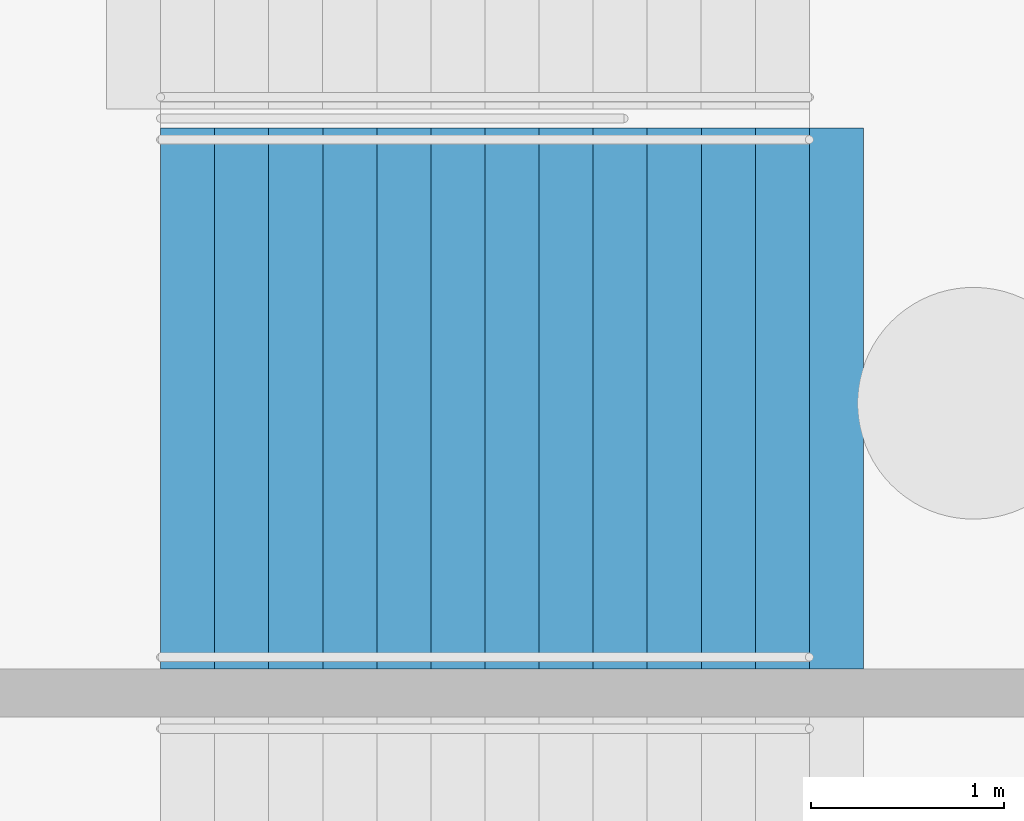
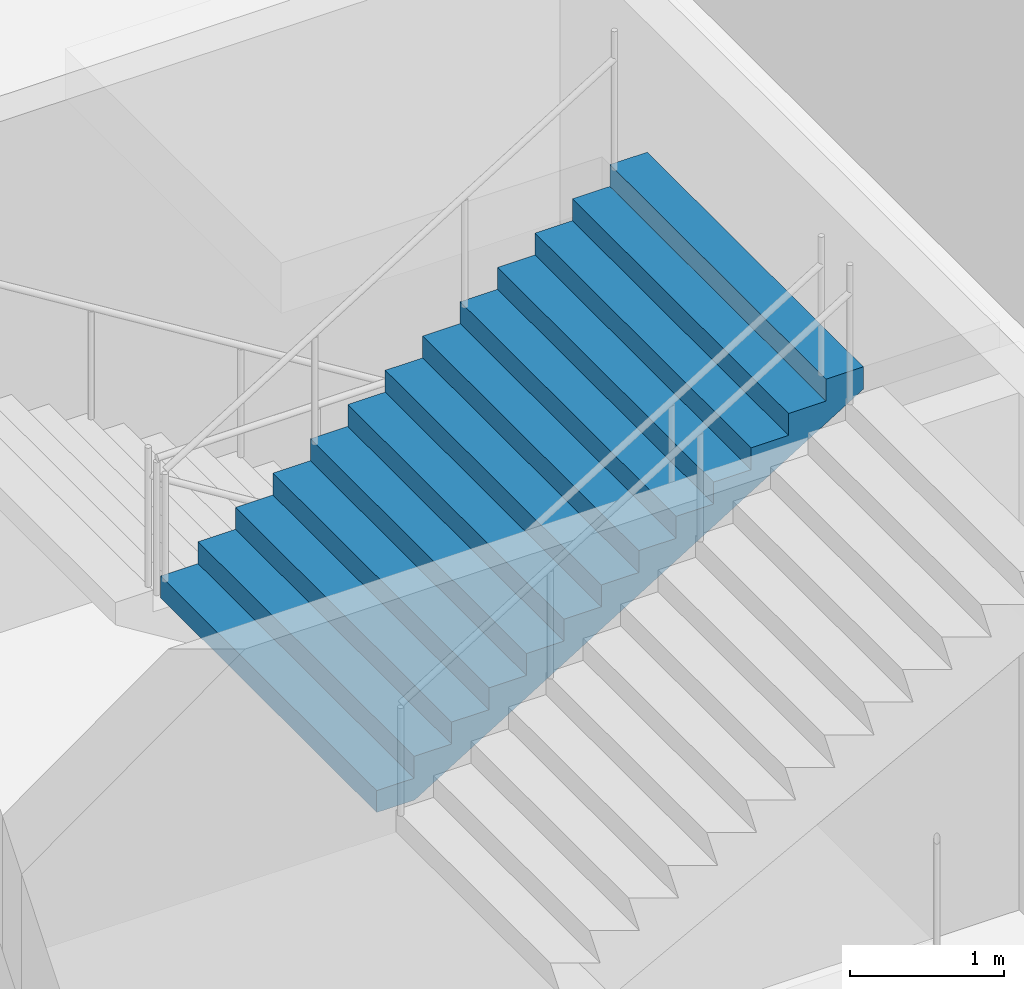
# One storey, part 74 of 115: 1 stair flight, 1 element without a shape of its own.
"""IFC4 building model written with IfcOpenShell, lengths in metres."""

import ifcopenshell
import ifcopenshell.guid

model = None  # the IFC model being written
_history = None  # IfcOwnerHistory: only IFC2X3 demands one
_inside = {}  # id of a spatial element -> (the spatial element, [elements in it])
_under = {}  # id of a project, library or spatial element -> (it, [spatial elements below it])
_declared = {}  # id of a project -> (the project, [libraries it declares])
_typed = {}  # id of a type object -> (the type object, [elements of that type])
_made_of = {}  # id of a material, layer set ... -> (it, [elements and type objects made of it])


def new_model(schema):
    """Start an empty IFC model of exactly this schema.

    Asked for "IFC4X3", IfcOpenShell would pick the latest addendum, in which some entities
    have other attributes; the version numbers below select the first issue.
    IFC2X3 requires an IfcOwnerHistory on every rooted entity: one is made here for all.
    """
    global model, _history
    if schema == "IFC4X3":
        model = ifcopenshell.file(schema_version=(4, 3, 0, 0))
    else:
        model = ifcopenshell.file(schema=schema)
    _inside.clear()
    _under.clear()
    _declared.clear()
    _typed.clear()
    _made_of.clear()
    _history = None
    if model.schema == "IFC2X3":
        org = make("IfcOrganization", Name="unknown")
        user = make(
            "IfcPersonAndOrganization",
            ThePerson=make("IfcPerson", FamilyName="unknown"),
            TheOrganization=org,
        )
        app = make(
            "IfcApplication",
            ApplicationDeveloper=org,
            Version="unknown",
            ApplicationFullName="unknown",
            ApplicationIdentifier="unknown",
        )
        _history = make(
            "IfcOwnerHistory",
            OwningUser=user,
            OwningApplication=app,
            ChangeAction="ADDED",
            CreationDate=0,
        )
    return model


def make(cls, **values):
    """One entity of the class cls with the attributes given. An attribute that is None is left unset."""
    return model.create_entity(
        cls, **{name: value for name, value in values.items() if value is not None}
    )


def rooted(cls, **values):
    """An entity with a GlobalId (a new one), such as an element, a storey or a relation."""
    return make(cls, GlobalId=ifcopenshell.guid.new(), OwnerHistory=_history, **values)


def si_unit(unit_type, name, prefix=None):
    """IfcSIUnit, for example si_unit("LENGTHUNIT", "METRE", prefix="MILLI")."""
    return make("IfcSIUnit", UnitType=unit_type, Prefix=prefix, Name=name)


def assignment(units):
    """IfcUnitAssignment: the units of a project."""
    return None if units is None else make("IfcUnitAssignment", Units=units)


def point(xyz):
    """IfcCartesianPoint."""
    return None if xyz is None else make("IfcCartesianPoint", Coordinates=xyz)


def direction(xyz):
    """IfcDirection."""
    return None if xyz is None else make("IfcDirection", DirectionRatios=xyz)


def frame(location, z_axis=None, x_axis=None):
    """IfcAxis2Placement3D, a coordinate frame: its origin and axes. An axis left out is left unset."""
    return make(
        "IfcAxis2Placement3D",
        Location=point(location),
        Axis=direction(z_axis),
        RefDirection=direction(x_axis),
    )


def origin():
    """The frame at (0, 0, 0) with its axes left unset."""
    return frame((0.0, 0.0, 0.0))


def place(relative_to, where):
    """IfcLocalPlacement: puts the frame where relative to a parent placement (None: the world)."""
    return make(
        "IfcLocalPlacement", PlacementRelTo=relative_to, RelativePlacement=where
    )


def context(
    kind, dimensions, precision=None, world=None, true_north=None, identifier=None
):
    """IfcGeometricRepresentationContext, for example the 3D "Model" context."""
    return make(
        "IfcGeometricRepresentationContext",
        ContextIdentifier=identifier,
        ContextType=kind,
        CoordinateSpaceDimension=dimensions,
        Precision=precision,
        WorldCoordinateSystem=world,
        TrueNorth=true_north,
    )


def subcontext(parent, identifier, kind, view, scale=None):
    """IfcGeometricRepresentationSubContext, for example "Body" below "Model"."""
    return make(
        "IfcGeometricRepresentationSubContext",
        ContextIdentifier=identifier,
        ContextType=kind,
        ParentContext=parent,
        TargetScale=scale,
        TargetView=view,
    )


def project(units=None, contexts=None):
    """IfcProject with its units and contexts."""
    return rooted(
        "IfcProject",
        Name="project",
        RepresentationContexts=contexts,
        UnitsInContext=assignment(units),
    )


def spatial(cls, under=None, at=None, **own):
    """A site, building, storey or space (cls), placed at a placement, below another one or the project."""
    s = rooted(cls, ObjectPlacement=at, **own)
    if under is not None:
        _under.setdefault(under.id(), (under, []))[1].append(s)
    return s


def faces_of(points, faces, orient=None, outer=None):
    """IfcFace entities. A face is a list of loops; a loop is a list of indices into points, from 0.

    orient and outer hold one flag for each loop. By default every Orientation is true, the
    first loop of a face is its IfcFaceOuterBound and the others are IfcFaceBound.
    """
    made = []
    for i, loops in enumerate(faces):
        bounds = []
        for j, loop in enumerate(loops):
            is_outer = j == 0 if outer is None else outer[i][j]
            bounds.append(
                make(
                    "IfcFaceOuterBound" if is_outer else "IfcFaceBound",
                    Bound=make("IfcPolyLoop", Polygon=[points[k] for k in loop]),
                    Orientation=True if orient is None else orient[i][j],
                )
            )
        made.append(make("IfcFace", Bounds=bounds))
    return made


def faceted_brep(points, faces, orient=None, outer=None, voids=None):
    """IfcFacetedBrep: a solid bounded by flat faces; with voids (closed shells), ...WithVoids."""
    shared = [point(p) for p in points]
    hull = make("IfcClosedShell", CfsFaces=faces_of(shared, faces, orient, outer))
    if voids is None:
        return make("IfcFacetedBrep", Outer=hull)
    return make(
        "IfcFacetedBrepWithVoids",
        Outer=hull,
        Voids=[
            make(cls, CfsFaces=faces_of(shared, fs, o, b)) for cls, fs, o, b in voids
        ],
    )


def shape(context_of_items, identifier, shape_type, items):
    """IfcShapeRepresentation: the items that make up one representation, for example the "Body"."""
    return make(
        "IfcShapeRepresentation",
        ContextOfItems=context_of_items,
        RepresentationIdentifier=identifier,
        RepresentationType=shape_type,
        Items=items,
    )


def material(Name=None, Category=None):
    """IfcMaterial."""
    return make("IfcMaterial", Name=Name, Category=Category)


def made_of(thing, what):
    """Note that an element or type object is made of a material, layer set ...; save() writes the relation."""
    if what is not None:
        _made_of.setdefault(what.id(), (what, []))[1].append(thing)
    return thing


def type_object(cls, material=None, **own):
    """A type object (cls), such as IfcWallType, which elements share."""
    return made_of(rooted(cls, **own), material)


def element(
    cls,
    number,
    at=None,
    inside=None,
    cuts=None,
    type_object=None,
    material=None,
    context=None,
    identifier="Body",
    shape_type=None,
    held_by="IfcProductDefinitionShape",
    body=None,
    shapes=None,
    **own,
):
    """One element of the class cls, such as IfcWall. Its Tag is "e" and its number.

    at: its placement. inside: the storey or other place that contains it. cuts: it is an
    opening in that element (IfcRelVoidsElement). A single representation is given by context,
    identifier, shape_type and body (its items); several are given by shapes. held_by: the class
    of the entity that holds the representations. save() writes the other relations.
    """
    e = rooted(cls, Tag="e%d" % number, ObjectPlacement=at, **own)
    if body is not None:
        shapes = [shape(context, identifier, shape_type, body)]
    if shapes is not None:
        e.Representation = make(held_by, Representations=shapes)
    if inside is not None:
        _inside.setdefault(inside.id(), (inside, []))[1].append(e)
    if cuts is not None:
        rooted(
            "IfcRelVoidsElement", RelatingBuildingElement=cuts, RelatedOpeningElement=e
        )
    if type_object is not None:
        _typed.setdefault(type_object.id(), (type_object, []))[1].append(e)
    return made_of(e, material)


def aggregate(whole, parts):
    """IfcRelAggregates: a whole, such as a stair, and the parts it consists of."""
    return rooted("IfcRelAggregates", RelatingObject=whole, RelatedObjects=parts)


def save(model, path):
    """Write the relations noted so far, then the file.

    IfcRelAggregates (storeys below a building ...), IfcRelContainedInSpatialStructure (elements
    in a storey), IfcRelDefinesByType, IfcRelAssociatesMaterial and IfcRelDeclares: one each for
    every whole, place, type object, material and project.
    """
    for whole, parts in _under.values():
        aggregate(whole, parts)
    for where, things in _inside.values():
        rooted(
            "IfcRelContainedInSpatialStructure",
            RelatedElements=things,
            RelatingStructure=where,
        )
    for kind, things in _typed.values():
        rooted("IfcRelDefinesByType", RelatedObjects=things, RelatingType=kind)
    for what, things in _made_of.values():
        rooted("IfcRelAssociatesMaterial", RelatedObjects=things, RelatingMaterial=what)
    for by, libraries in _declared.values():
        rooted("IfcRelDeclares", RelatingContext=by, RelatedDefinitions=libraries)
    model.write(path)


model = new_model("IFC4")

# Units and contexts
model_context = context("Model", 3, precision=1e-05, world=origin(), true_north=direction((0.0, 1.0)))
body_context = subcontext(model_context, "Body", "Model", "MODEL_VIEW")
ifc_project = project(units=[si_unit("LENGTHUNIT", "METRE"), si_unit("AREAUNIT", "SQUARE_METRE"), si_unit("VOLUMEUNIT", "CUBIC_METRE"), si_unit("PLANEANGLEUNIT", "RADIAN"), si_unit("MASSUNIT", "GRAM", prefix="KILO")], contexts=[model_context])

# Site, building, storey
site_placement = place(None, origin())
site = spatial("IfcSite", under=ifc_project, at=site_placement, CompositionType="ELEMENT")
building_placement = place(site_placement, origin())
building = spatial("IfcBuilding", under=site, at=building_placement, Name="Ogive Plaza Stadium", CompositionType="ELEMENT")
storey_placement = place(building_placement, frame((0.0, 0.0, -4.5)))
storey = spatial("IfcBuildingStorey", under=building, at=storey_placement, Name="B1", CompositionType="ELEMENT", Elevation=-4.5)

# Stair, stair flight
ifc_material_1 = material(Name="Concrete C40/50", Category="concrete")
stair_type = type_object("IfcStairType", Name="Exit stair", PredefinedType="STRAIGHT_RUN_STAIR", material=ifc_material_1)
stair_placement = place(storey_placement, origin())
stair = element("IfcStair", 1, at=stair_placement, inside=storey, type_object=stair_type, Name="Exit stair ST22A B1 to L00", PredefinedType="STRAIGHT_RUN_STAIR")
ifc_material_2 = material(Name="Concrete C40/50", Category="concrete")
stair_flight_type = type_object("IfcStairFlightType", Name="Exit stair flight", PredefinedType="STRAIGHT", material=ifc_material_2)
stair_flight_placement = place(storey_placement, frame((-79.7099609375, -35.97509765625, 2.25), z_axis=(0.0, 0.0, 1.0), x_axis=(1.0, 0.0, 0.0)))
stair_flight = element("IfcStairFlight", 2, at=stair_flight_placement, type_object=stair_flight_type, Name="ST22A flight 2", NumberOfRisers=13, NumberOfTreads=12, PredefinedType="STRAIGHT", RiserHeight=0.173076923, TreadLength=0.28, context=body_context, shape_type="Brep", body=[
    faceted_brep([(0.28515625, -1.39990234375, 0.0), (3.639892578125, -1.39990234375, 2.07373046875), (3.639892578125, -1.39990234375, 2.25), (3.360107421875, -1.39990234375, 2.25), (3.360107421875, -1.39990234375, 2.076904296875), (3.080078125, -1.39990234375, 2.076904296875), (3.080078125, -1.39990234375, 1.90380859375), (2.800048828125, -1.39990234375, 1.90380859375), (2.800048828125, -1.39990234375, 1.730712890625), (2.52001953125, -1.39990234375, 1.730712890625), (2.52001953125, -1.39990234375, 1.5576171875), (2.239990234375, -1.39990234375, 1.5576171875), (2.239990234375, -1.39990234375, 1.384521484375), (1.9599609375, -1.39990234375, 1.384521484375), (1.9599609375, -1.39990234375, 1.21142578125), (1.679931640625, -1.39990234375, 1.21142578125), (1.679931640625, -1.39990234375, 1.03857421875), (1.39990234375, -1.39990234375, 1.03857421875), (1.39990234375, -1.39990234375, 0.865478515625), (1.1201171875, -1.39990234375, 0.865478515625), (1.1201171875, -1.39990234375, 0.6923828125), (0.840087890625, -1.39990234375, 0.6923828125), (0.840087890625, -1.39990234375, 0.519287109375), (0.56005859375, -1.39990234375, 0.519287109375), (0.56005859375, -1.39990234375, 0.34619140625), (0.280029296875, -1.39990234375, 0.34619140625), (0.280029296875, -1.39990234375, 0.173095703125), (0.0, -1.39990234375, 0.173095703125), (0.0, -1.39990234375, 0.0), (0.0, 1.39990234375, 0.0), (0.0, 1.39990234375, 0.173095703125), (0.280029296875, 1.39990234375, 0.173095703125), (0.280029296875, 1.39990234375, 0.34619140625), (0.56005859375, 1.39990234375, 0.34619140625), (0.56005859375, 1.39990234375, 0.519287109375), (0.840087890625, 1.39990234375, 0.519287109375), (0.840087890625, 1.39990234375, 0.6923828125), (1.1201171875, 1.39990234375, 0.6923828125), (1.1201171875, 1.39990234375, 0.865478515625), (1.39990234375, 1.39990234375, 0.865478515625), (1.39990234375, 1.39990234375, 1.03857421875), (1.679931640625, 1.39990234375, 1.03857421875), (1.679931640625, 1.39990234375, 1.21142578125), (1.9599609375, 1.39990234375, 1.21142578125), (1.9599609375, 1.39990234375, 1.384521484375), (2.239990234375, 1.39990234375, 1.384521484375), (2.239990234375, 1.39990234375, 1.5576171875), (2.52001953125, 1.39990234375, 1.5576171875), (2.52001953125, 1.39990234375, 1.730712890625), (2.800048828125, 1.39990234375, 1.730712890625), (2.800048828125, 1.39990234375, 1.90380859375), (3.080078125, 1.39990234375, 1.90380859375), (3.080078125, 1.39990234375, 2.076904296875), (3.360107421875, 1.39990234375, 2.076904296875), (3.360107421875, 1.39990234375, 2.25), (3.639892578125, 1.39990234375, 2.25), (3.639892578125, 1.39990234375, 2.07373046875), (0.28515625, 1.39990234375, 0.0), (0.28515625, -1.0888671875, 0.0), (3.639892578125, -1.0888671875, 2.07373046875), (0.28515625, -0.77783203125, 0.0), (3.639892578125, -0.77783203125, 2.07373046875), (0.28515625, -0.466796875, 0.0), (3.639892578125, -0.466796875, 2.07373046875), (0.28515625, -0.155517578125, 0.0), (3.639892578125, -0.155517578125, 2.07373046875), (0.28515625, 0.155517578125, 0.0), (3.639892578125, 0.155517578125, 2.07373046875), (0.28515625, 0.466796875, 0.0), (3.639892578125, 0.466796875, 2.07373046875), (0.28515625, 0.77783203125, 0.0), (3.639892578125, 0.77783203125, 2.07373046875), (0.28515625, 1.0888671875, 0.0), (3.639892578125, 1.0888671875, 2.07373046875), (3.639892578125, -1.0888671875, 2.25), (3.639892578125, -0.77783203125, 2.25), (3.639892578125, -0.466796875, 2.25), (3.639892578125, -0.155517578125, 2.25), (3.639892578125, 0.155517578125, 2.25), (3.639892578125, 0.466796875, 2.25), (3.639892578125, 0.77783203125, 2.25), (3.639892578125, 1.0888671875, 2.25), (3.360107421875, -1.0888671875, 2.25), (3.360107421875, -0.77783203125, 2.25), (3.360107421875, -0.466796875, 2.25), (3.360107421875, -0.155517578125, 2.25), (3.360107421875, 0.155517578125, 2.25), (3.360107421875, 0.466796875, 2.25), (3.360107421875, 0.77783203125, 2.25), (3.360107421875, 1.0888671875, 2.25), (3.360107421875, -1.0888671875, 2.076904296875), (3.360107421875, -0.77783203125, 2.076904296875), (3.360107421875, -0.466796875, 2.076904296875), (3.360107421875, -0.155517578125, 2.076904296875), (3.360107421875, 0.155517578125, 2.076904296875), (3.360107421875, 0.466796875, 2.076904296875), (3.360107421875, 0.77783203125, 2.076904296875), (3.360107421875, 1.0888671875, 2.076904296875), (3.080078125, -1.0888671875, 2.076904296875), (3.080078125, -0.77783203125, 2.076904296875), (3.080078125, -0.466796875, 2.076904296875), (3.080078125, -0.155517578125, 2.076904296875), (3.080078125, 0.155517578125, 2.076904296875), (3.080078125, 0.466796875, 2.076904296875), (3.080078125, 0.77783203125, 2.076904296875), (3.080078125, 1.0888671875, 2.076904296875), (3.080078125, -1.0888671875, 1.90380859375), (3.080078125, -0.77783203125, 1.90380859375), (3.080078125, -0.466796875, 1.90380859375), (3.080078125, -0.155517578125, 1.90380859375), (3.080078125, 0.155517578125, 1.90380859375), (3.080078125, 0.466796875, 1.90380859375), (3.080078125, 0.77783203125, 1.90380859375), (3.080078125, 1.0888671875, 1.90380859375), (2.800048828125, -1.0888671875, 1.90380859375), (2.800048828125, -0.77783203125, 1.90380859375), (2.800048828125, -0.466796875, 1.90380859375), (2.800048828125, -0.155517578125, 1.90380859375), (2.800048828125, 0.155517578125, 1.90380859375), (2.800048828125, 0.466796875, 1.90380859375), (2.800048828125, 0.77783203125, 1.90380859375), (2.800048828125, 1.0888671875, 1.90380859375), (2.800048828125, -1.0888671875, 1.730712890625), (2.800048828125, -0.77783203125, 1.730712890625), (2.800048828125, -0.466796875, 1.730712890625), (2.800048828125, -0.155517578125, 1.730712890625), (2.800048828125, 0.155517578125, 1.730712890625), (2.800048828125, 0.466796875, 1.730712890625), (2.800048828125, 0.77783203125, 1.730712890625), (2.800048828125, 1.0888671875, 1.730712890625), (2.52001953125, -1.0888671875, 1.730712890625), (2.52001953125, -0.77783203125, 1.730712890625), (2.52001953125, -0.466796875, 1.730712890625), (2.52001953125, -0.155517578125, 1.730712890625), (2.52001953125, 0.155517578125, 1.730712890625), (2.52001953125, 0.466796875, 1.730712890625), (2.52001953125, 0.77783203125, 1.730712890625), (2.52001953125, 1.0888671875, 1.730712890625), (2.52001953125, -1.0888671875, 1.5576171875), (2.52001953125, -0.77783203125, 1.5576171875), (2.52001953125, -0.466796875, 1.5576171875), (2.52001953125, -0.155517578125, 1.5576171875), (2.52001953125, 0.155517578125, 1.5576171875), (2.52001953125, 0.466796875, 1.5576171875), (2.52001953125, 0.77783203125, 1.5576171875), (2.52001953125, 1.0888671875, 1.5576171875), (2.239990234375, -1.0888671875, 1.5576171875), (2.239990234375, -0.77783203125, 1.5576171875), (2.239990234375, -0.466796875, 1.5576171875), (2.239990234375, -0.155517578125, 1.5576171875), (2.239990234375, 0.155517578125, 1.5576171875), (2.239990234375, 0.466796875, 1.5576171875), (2.239990234375, 0.77783203125, 1.5576171875), (2.239990234375, 1.0888671875, 1.5576171875), (2.239990234375, -1.0888671875, 1.384521484375), (2.239990234375, -0.77783203125, 1.384521484375), (2.239990234375, -0.466796875, 1.384521484375), (2.239990234375, -0.155517578125, 1.384521484375), (2.239990234375, 0.155517578125, 1.384521484375), (2.239990234375, 0.466796875, 1.384521484375), (2.239990234375, 0.77783203125, 1.384521484375), (2.239990234375, 1.0888671875, 1.384521484375), (1.9599609375, -1.0888671875, 1.384521484375), (1.9599609375, -0.77783203125, 1.384521484375), (1.9599609375, -0.466796875, 1.384521484375), (1.9599609375, -0.155517578125, 1.384521484375), (1.9599609375, 0.155517578125, 1.384521484375), (1.9599609375, 0.466796875, 1.384521484375), (1.9599609375, 0.77783203125, 1.384521484375), (1.9599609375, 1.0888671875, 1.384521484375), (1.9599609375, -1.0888671875, 1.21142578125), (1.9599609375, -0.77783203125, 1.21142578125), (1.9599609375, -0.466796875, 1.21142578125), (1.9599609375, -0.155517578125, 1.21142578125), (1.9599609375, 0.155517578125, 1.21142578125), (1.9599609375, 0.466796875, 1.21142578125), (1.9599609375, 0.77783203125, 1.21142578125), (1.9599609375, 1.0888671875, 1.21142578125), (1.679931640625, -1.0888671875, 1.21142578125), (1.679931640625, -0.77783203125, 1.21142578125), (1.679931640625, -0.466796875, 1.21142578125), (1.679931640625, -0.155517578125, 1.21142578125), (1.679931640625, 0.155517578125, 1.21142578125), (1.679931640625, 0.466796875, 1.21142578125), (1.679931640625, 0.77783203125, 1.21142578125), (1.679931640625, 1.0888671875, 1.21142578125), (1.679931640625, -1.0888671875, 1.03857421875), (1.679931640625, -0.77783203125, 1.03857421875), (1.679931640625, -0.466796875, 1.03857421875), (1.679931640625, -0.155517578125, 1.03857421875), (1.679931640625, 0.155517578125, 1.03857421875), (1.679931640625, 0.466796875, 1.03857421875), (1.679931640625, 0.77783203125, 1.03857421875), (1.679931640625, 1.0888671875, 1.03857421875), (1.39990234375, -1.0888671875, 1.03857421875), (1.39990234375, -0.77783203125, 1.03857421875), (1.39990234375, -0.466796875, 1.03857421875), (1.39990234375, -0.155517578125, 1.03857421875), (1.39990234375, 0.155517578125, 1.03857421875), (1.39990234375, 0.466796875, 1.03857421875), (1.39990234375, 0.77783203125, 1.03857421875), (1.39990234375, 1.0888671875, 1.03857421875), (1.39990234375, -1.0888671875, 0.865478515625), (1.39990234375, -0.77783203125, 0.865478515625), (1.39990234375, -0.466796875, 0.865478515625), (1.39990234375, -0.155517578125, 0.865478515625), (1.39990234375, 0.155517578125, 0.865478515625), (1.39990234375, 0.466796875, 0.865478515625), (1.39990234375, 0.77783203125, 0.865478515625), (1.39990234375, 1.0888671875, 0.865478515625), (1.1201171875, -1.0888671875, 0.865478515625), (1.1201171875, -0.77783203125, 0.865478515625), (1.1201171875, -0.466796875, 0.865478515625), (1.1201171875, -0.155517578125, 0.865478515625), (1.1201171875, 0.155517578125, 0.865478515625), (1.1201171875, 0.466796875, 0.865478515625), (1.1201171875, 0.77783203125, 0.865478515625), (1.1201171875, 1.0888671875, 0.865478515625), (1.1201171875, -1.0888671875, 0.6923828125), (1.1201171875, -0.77783203125, 0.6923828125), (1.1201171875, -0.466796875, 0.6923828125), (1.1201171875, -0.155517578125, 0.6923828125), (1.1201171875, 0.155517578125, 0.6923828125), (1.1201171875, 0.466796875, 0.6923828125), (1.1201171875, 0.77783203125, 0.6923828125), (1.1201171875, 1.0888671875, 0.6923828125), (0.840087890625, -1.0888671875, 0.6923828125), (0.840087890625, -0.77783203125, 0.6923828125), (0.840087890625, -0.466796875, 0.6923828125), (0.840087890625, -0.155517578125, 0.6923828125), (0.840087890625, 0.155517578125, 0.6923828125), (0.840087890625, 0.466796875, 0.6923828125), (0.840087890625, 0.77783203125, 0.6923828125), (0.840087890625, 1.0888671875, 0.6923828125), (0.840087890625, -1.0888671875, 0.519287109375), (0.840087890625, -0.77783203125, 0.519287109375), (0.840087890625, -0.466796875, 0.519287109375), (0.840087890625, -0.155517578125, 0.519287109375), (0.840087890625, 0.155517578125, 0.519287109375), (0.840087890625, 0.466796875, 0.519287109375), (0.840087890625, 0.77783203125, 0.519287109375), (0.840087890625, 1.0888671875, 0.519287109375), (0.56005859375, -1.0888671875, 0.519287109375), (0.56005859375, -0.77783203125, 0.519287109375), (0.56005859375, -0.466796875, 0.519287109375), (0.56005859375, -0.155517578125, 0.519287109375), (0.56005859375, 0.155517578125, 0.519287109375), (0.56005859375, 0.466796875, 0.519287109375), (0.56005859375, 0.77783203125, 0.519287109375), (0.56005859375, 1.0888671875, 0.519287109375), (0.56005859375, -1.0888671875, 0.34619140625), (0.56005859375, -0.77783203125, 0.34619140625), (0.56005859375, -0.466796875, 0.34619140625), (0.56005859375, -0.155517578125, 0.34619140625), (0.56005859375, 0.155517578125, 0.34619140625), (0.56005859375, 0.466796875, 0.34619140625), (0.56005859375, 0.77783203125, 0.34619140625), (0.56005859375, 1.0888671875, 0.34619140625), (0.280029296875, -1.0888671875, 0.34619140625), (0.280029296875, -0.77783203125, 0.34619140625), (0.280029296875, -0.466796875, 0.34619140625), (0.280029296875, -0.155517578125, 0.34619140625), (0.280029296875, 0.155517578125, 0.34619140625), (0.280029296875, 0.466796875, 0.34619140625), (0.280029296875, 0.77783203125, 0.34619140625), (0.280029296875, 1.0888671875, 0.34619140625), (0.280029296875, -1.0888671875, 0.173095703125), (0.280029296875, -0.77783203125, 0.173095703125), (0.280029296875, -0.466796875, 0.173095703125), (0.280029296875, -0.155517578125, 0.173095703125), (0.280029296875, 0.155517578125, 0.173095703125), (0.280029296875, 0.466796875, 0.173095703125), (0.280029296875, 0.77783203125, 0.173095703125), (0.280029296875, 1.0888671875, 0.173095703125), (0.0, -1.0888671875, 0.173095703125), (0.0, -0.77783203125, 0.173095703125), (0.0, -0.466796875, 0.173095703125), (0.0, -0.155517578125, 0.173095703125), (0.0, 0.155517578125, 0.173095703125), (0.0, 0.466796875, 0.173095703125), (0.0, 0.77783203125, 0.173095703125), (0.0, 1.0888671875, 0.173095703125), (0.0, -1.0888671875, 0.0), (0.0, -0.77783203125, 0.0), (0.0, -0.466796875, 0.0), (0.0, -0.155517578125, 0.0), (0.0, 0.155517578125, 0.0), (0.0, 0.466796875, 0.0), (0.0, 0.77783203125, 0.0), (0.0, 1.0888671875, 0.0)], [[[0, 1, 2, 3, 4, 5, 6, 7, 8, 9, 10, 11, 12, 13, 14, 15, 16, 17, 18, 19, 20, 21, 22, 23, 24, 25, 26, 27, 28]], [[29, 30, 31, 32, 33, 34, 35, 36, 37, 38, 39, 40, 41, 42, 43, 44, 45, 46, 47, 48, 49, 50, 51, 52, 53, 54, 55, 56, 57]], [[0, 58, 59, 1]], [[58, 60, 61, 59]], [[60, 62, 63, 61]], [[62, 64, 65, 63]], [[64, 66, 67, 65]], [[66, 68, 69, 67]], [[68, 70, 71, 69]], [[70, 72, 73, 71]], [[72, 57, 56, 73]], [[1, 59, 74, 2]], [[59, 61, 75, 74]], [[61, 63, 76, 75]], [[63, 65, 77, 76]], [[65, 67, 78, 77]], [[67, 69, 79, 78]], [[69, 71, 80, 79]], [[71, 73, 81, 80]], [[73, 56, 55, 81]], [[2, 74, 82, 3]], [[74, 75, 83, 82]], [[75, 76, 84, 83]], [[76, 77, 85, 84]], [[77, 78, 86, 85]], [[78, 79, 87, 86]], [[79, 80, 88, 87]], [[80, 81, 89, 88]], [[81, 55, 54, 89]], [[3, 82, 90, 4]], [[82, 83, 91, 90]], [[83, 84, 92, 91]], [[84, 85, 93, 92]], [[85, 86, 94, 93]], [[86, 87, 95, 94]], [[87, 88, 96, 95]], [[88, 89, 97, 96]], [[89, 54, 53, 97]], [[4, 90, 98, 5]], [[90, 91, 99, 98]], [[91, 92, 100, 99]], [[92, 93, 101, 100]], [[93, 94, 102, 101]], [[94, 95, 103, 102]], [[95, 96, 104, 103]], [[96, 97, 105, 104]], [[97, 53, 52, 105]], [[5, 98, 106, 6]], [[98, 99, 107, 106]], [[99, 100, 108, 107]], [[100, 101, 109, 108]], [[101, 102, 110, 109]], [[102, 103, 111, 110]], [[103, 104, 112, 111]], [[104, 105, 113, 112]], [[105, 52, 51, 113]], [[6, 106, 114, 7]], [[106, 107, 115, 114]], [[107, 108, 116, 115]], [[108, 109, 117, 116]], [[109, 110, 118, 117]], [[110, 111, 119, 118]], [[111, 112, 120, 119]], [[112, 113, 121, 120]], [[113, 51, 50, 121]], [[7, 114, 122, 8]], [[114, 115, 123, 122]], [[115, 116, 124, 123]], [[116, 117, 125, 124]], [[117, 118, 126, 125]], [[118, 119, 127, 126]], [[119, 120, 128, 127]], [[120, 121, 129, 128]], [[121, 50, 49, 129]], [[8, 122, 130, 9]], [[122, 123, 131, 130]], [[123, 124, 132, 131]], [[124, 125, 133, 132]], [[125, 126, 134, 133]], [[126, 127, 135, 134]], [[127, 128, 136, 135]], [[128, 129, 137, 136]], [[129, 49, 48, 137]], [[9, 130, 138, 10]], [[130, 131, 139, 138]], [[131, 132, 140, 139]], [[132, 133, 141, 140]], [[133, 134, 142, 141]], [[134, 135, 143, 142]], [[135, 136, 144, 143]], [[136, 137, 145, 144]], [[137, 48, 47, 145]], [[10, 138, 146, 11]], [[138, 139, 147, 146]], [[139, 140, 148, 147]], [[140, 141, 149, 148]], [[141, 142, 150, 149]], [[142, 143, 151, 150]], [[143, 144, 152, 151]], [[144, 145, 153, 152]], [[145, 47, 46, 153]], [[11, 146, 154, 12]], [[146, 147, 155, 154]], [[147, 148, 156, 155]], [[148, 149, 157, 156]], [[149, 150, 158, 157]], [[150, 151, 159, 158]], [[151, 152, 160, 159]], [[152, 153, 161, 160]], [[153, 46, 45, 161]], [[12, 154, 162, 13]], [[154, 155, 163, 162]], [[155, 156, 164, 163]], [[156, 157, 165, 164]], [[157, 158, 166, 165]], [[158, 159, 167, 166]], [[159, 160, 168, 167]], [[160, 161, 169, 168]], [[161, 45, 44, 169]], [[13, 162, 170, 14]], [[162, 163, 171, 170]], [[163, 164, 172, 171]], [[164, 165, 173, 172]], [[165, 166, 174, 173]], [[166, 167, 175, 174]], [[167, 168, 176, 175]], [[168, 169, 177, 176]], [[169, 44, 43, 177]], [[14, 170, 178, 15]], [[170, 171, 179, 178]], [[171, 172, 180, 179]], [[172, 173, 181, 180]], [[173, 174, 182, 181]], [[174, 175, 183, 182]], [[175, 176, 184, 183]], [[176, 177, 185, 184]], [[177, 43, 42, 185]], [[15, 178, 186, 16]], [[178, 179, 187, 186]], [[179, 180, 188, 187]], [[180, 181, 189, 188]], [[181, 182, 190, 189]], [[182, 183, 191, 190]], [[183, 184, 192, 191]], [[184, 185, 193, 192]], [[185, 42, 41, 193]], [[16, 186, 194, 17]], [[186, 187, 195, 194]], [[187, 188, 196, 195]], [[188, 189, 197, 196]], [[189, 190, 198, 197]], [[190, 191, 199, 198]], [[191, 192, 200, 199]], [[192, 193, 201, 200]], [[193, 41, 40, 201]], [[17, 194, 202, 18]], [[194, 195, 203, 202]], [[195, 196, 204, 203]], [[196, 197, 205, 204]], [[197, 198, 206, 205]], [[198, 199, 207, 206]], [[199, 200, 208, 207]], [[200, 201, 209, 208]], [[201, 40, 39, 209]], [[18, 202, 210, 19]], [[202, 203, 211, 210]], [[203, 204, 212, 211]], [[204, 205, 213, 212]], [[205, 206, 214, 213]], [[206, 207, 215, 214]], [[207, 208, 216, 215]], [[208, 209, 217, 216]], [[209, 39, 38, 217]], [[19, 210, 218, 20]], [[210, 211, 219, 218]], [[211, 212, 220, 219]], [[212, 213, 221, 220]], [[213, 214, 222, 221]], [[214, 215, 223, 222]], [[215, 216, 224, 223]], [[216, 217, 225, 224]], [[217, 38, 37, 225]], [[20, 218, 226, 21]], [[218, 219, 227, 226]], [[219, 220, 228, 227]], [[220, 221, 229, 228]], [[221, 222, 230, 229]], [[222, 223, 231, 230]], [[223, 224, 232, 231]], [[224, 225, 233, 232]], [[225, 37, 36, 233]], [[21, 226, 234, 22]], [[226, 227, 235, 234]], [[227, 228, 236, 235]], [[228, 229, 237, 236]], [[229, 230, 238, 237]], [[230, 231, 239, 238]], [[231, 232, 240, 239]], [[232, 233, 241, 240]], [[233, 36, 35, 241]], [[22, 234, 242, 23]], [[234, 235, 243, 242]], [[235, 236, 244, 243]], [[236, 237, 245, 244]], [[237, 238, 246, 245]], [[238, 239, 247, 246]], [[239, 240, 248, 247]], [[240, 241, 249, 248]], [[241, 35, 34, 249]], [[23, 242, 250, 24]], [[242, 243, 251, 250]], [[243, 244, 252, 251]], [[244, 245, 253, 252]], [[245, 246, 254, 253]], [[246, 247, 255, 254]], [[247, 248, 256, 255]], [[248, 249, 257, 256]], [[249, 34, 33, 257]], [[24, 250, 258, 25]], [[250, 251, 259, 258]], [[251, 252, 260, 259]], [[252, 253, 261, 260]], [[253, 254, 262, 261]], [[254, 255, 263, 262]], [[255, 256, 264, 263]], [[256, 257, 265, 264]], [[257, 33, 32, 265]], [[25, 258, 266, 26]], [[258, 259, 267, 266]], [[259, 260, 268, 267]], [[260, 261, 269, 268]], [[261, 262, 270, 269]], [[262, 263, 271, 270]], [[263, 264, 272, 271]], [[264, 265, 273, 272]], [[265, 32, 31, 273]], [[26, 266, 274, 27]], [[266, 267, 275, 274]], [[267, 268, 276, 275]], [[268, 269, 277, 276]], [[269, 270, 278, 277]], [[270, 271, 279, 278]], [[271, 272, 280, 279]], [[272, 273, 281, 280]], [[273, 31, 30, 281]], [[27, 274, 282, 28]], [[274, 275, 283, 282]], [[275, 276, 284, 283]], [[276, 277, 285, 284]], [[277, 278, 286, 285]], [[278, 279, 287, 286]], [[279, 280, 288, 287]], [[280, 281, 289, 288]], [[281, 30, 29, 289]], [[28, 282, 58, 0]], [[282, 283, 60, 58]], [[283, 284, 62, 60]], [[284, 285, 64, 62]], [[285, 286, 66, 64]], [[286, 287, 68, 66]], [[287, 288, 70, 68]], [[288, 289, 72, 70]], [[289, 29, 57, 72]]]),
])
aggregate(stair, [stair_flight])

save(model, "model.ifc")
